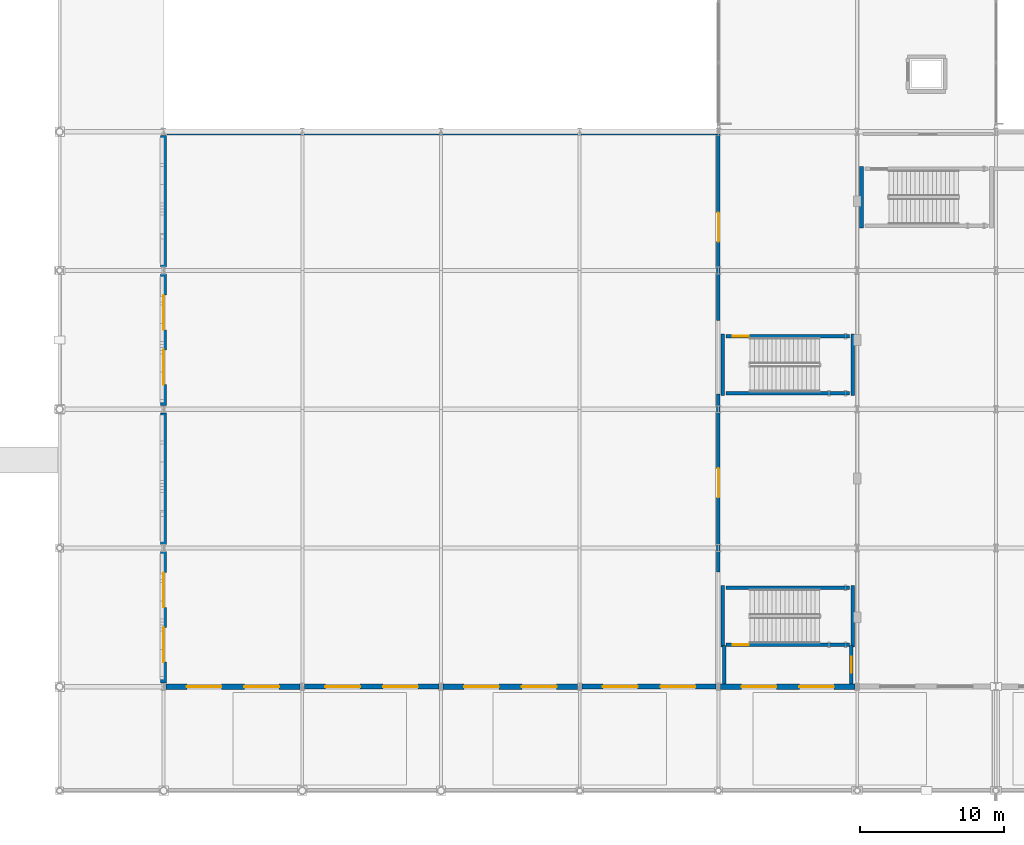
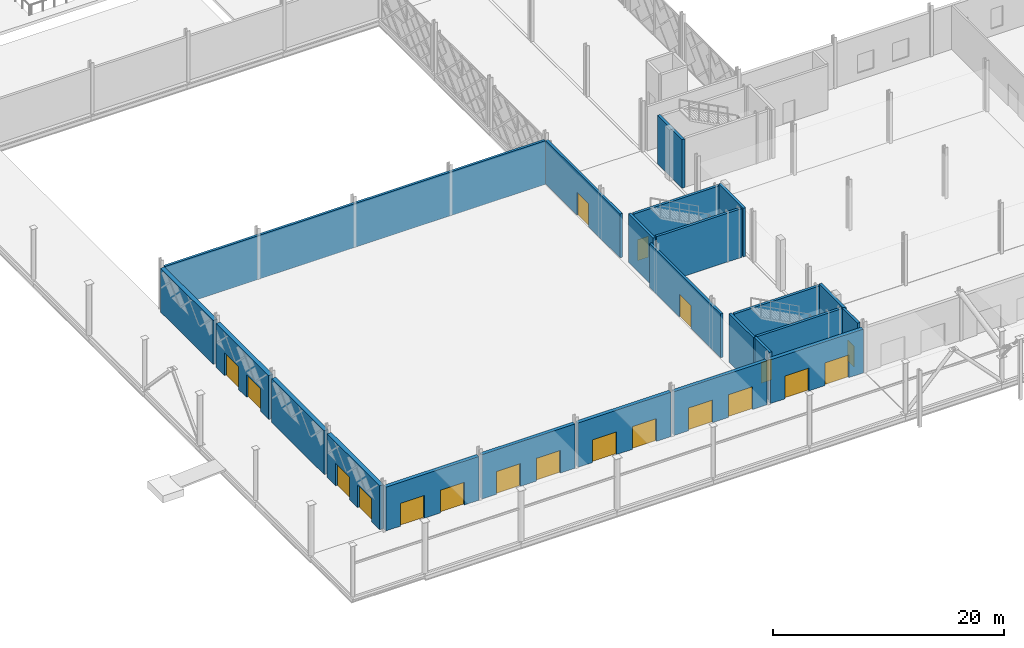
# One storey, part 51 of 84: 23 walls, 19 doors, 19 openings.
"""IFC4 building model written with IfcOpenShell, lengths in metres."""

from ifc_helpers import new_model, si_unit, direction, frame, frame_2d, origin, place, context, subcontext, project, spatial, rectangle, extrude, material, layer, layer_set, type_object, element, fill, save


model = new_model("IFC4")

# Units and contexts
model_context = context("Model", 3, precision=1e-05, world=origin(), true_north=direction((0.0, 1.0)))
body_context = subcontext(model_context, "Body", "Model", "MODEL_VIEW")
ifc_project = project(units=[si_unit("LENGTHUNIT", "METRE"), si_unit("AREAUNIT", "SQUARE_METRE"), si_unit("VOLUMEUNIT", "CUBIC_METRE"), si_unit("PLANEANGLEUNIT", "RADIAN"), si_unit("MASSUNIT", "GRAM", prefix="KILO")], contexts=[model_context])

# Site, building, storey
site_placement = place(None, origin())
site = spatial("IfcSite", under=ifc_project, at=site_placement, CompositionType="ELEMENT")
building_placement = place(site_placement, origin())
building = spatial("IfcBuilding", under=site, at=building_placement, Name="Zevrakil Square Congress Hotel", CompositionType="ELEMENT")
storey_placement = place(building_placement, origin())
storey = spatial("IfcBuildingStorey", under=building, at=storey_placement, Name="L01", CompositionType="ELEMENT", Elevation=0.0)

# Wall, opening, door
ifc_material_1 = material(Name="Concrete C35/45", Category="concrete")
ifc_layer_1 = layer(ifc_material_1, 0.239990234375)
ifc_layer_set_1 = layer_set([ifc_layer_1], Name="Concrete C35/45")
wall_type_1 = type_object("IfcWallType", Name="WAL-COMP-240", PredefinedType="SOLIDWALL", material=ifc_layer_set_1)
wall_1_placement = place(storey_placement, frame((45.60009765625, 15.14990234375, 0.0), z_axis=(0.0, 0.0, 1.0), x_axis=(0.0, 1.0, 0.0)))
wall_1 = element("IfcWall", 1, at=wall_1_placement, inside=storey, type_object=wall_type_1, Name="L01 interior partition PW-L01-0126", PredefinedType="SOLIDWALL", context=body_context, shape_type="SweptSolid", body=[
    extrude(rectangle(XDim=12.300048828125, YDim=0.239990234375, at=frame_2d((6.14990234375, 0.0))), origin(), (0.0, 0.0, 1.0), 4.625),
])
opening_1_placement = place(wall_1_placement, frame((5.14990234375, 0.0, 0.0)))
opening_1 = element("IfcOpeningElement", 2, at=opening_1_placement, cuts=wall_1, Name="Opening ID-05", PredefinedType="OPENING", context=body_context, shape_type="SweptSolid", body=[
    extrude(rectangle(XDim=2.0, YDim=2.39990234375, at=frame_2d((1.0, 1.199951171875))), frame((0.0, 0.1298828125, 0.0), z_axis=(0.0, -1.0, 0.0), x_axis=(1.0, 0.0, 0.0)), (0.0, 0.0, 1.0), 0.260009765625),
])
ifc_material_2 = material(Name="Assembly Hall Double Acoustic Door")
door_type_1 = type_object("IfcDoorType", Name="DOR-HALL-200", OperationType="NOTDEFINED", PredefinedType="DOOR", material=ifc_material_2)
door_1_placement = place(opening_1_placement, origin())
door_1 = element("IfcDoor", 3, at=door_1_placement, inside=storey, type_object=door_type_1, Name="L01 interior door 47", OperationType="DOUBLE_DOOR_SINGLE_SWING", OverallHeight=2.39990234375, OverallWidth=2.0, PredefinedType="DOOR", context=body_context, shape_type="SweptSolid", body=[
    extrude(rectangle(XDim=2.0, YDim=2.39990234375, at=frame_2d((1.0, 1.199951171875))), frame((0.0, 0.02490234375, 0.0), z_axis=(0.0, -1.0, 0.0), x_axis=(1.0, 0.0, 0.0)), (0.0, 0.0, 1.0), 0.050048828125),
])
fill(opening_1, door_1)

wall_2_placement = place(storey_placement, frame((45.60009765625, 32.550048828125, 0.0), z_axis=(0.0, 0.0, 1.0), x_axis=(0.0, 1.0, 0.0)))
wall_2 = element("IfcWall", 4, at=wall_2_placement, inside=storey, type_object=wall_type_1, Name="L01 interior partition PW-L01-0127", PredefinedType="SOLIDWALL", context=body_context, shape_type="SweptSolid", body=[
    extrude(rectangle(XDim=12.89990234375, YDim=0.239990234375, at=frame_2d((6.449951171875, 0.0))), origin(), (0.0, 0.0, 1.0), 4.625),
])
opening_2_placement = place(wall_2_placement, frame((5.449951171875, 0.0, 0.0)))
opening_2 = element("IfcOpeningElement", 5, at=opening_2_placement, cuts=wall_2, Name="Opening ID-05", PredefinedType="OPENING", context=body_context, shape_type="SweptSolid", body=[
    extrude(rectangle(XDim=2.0, YDim=2.39990234375, at=frame_2d((1.0, 1.199951171875))), frame((0.0, 0.1298828125, 0.0), z_axis=(0.0, -1.0, 0.0), x_axis=(1.0, 0.0, 0.0)), (0.0, 0.0, 1.0), 0.260009765625),
])
door_2_placement = place(opening_2_placement, origin())
door_2 = element("IfcDoor", 6, at=door_2_placement, inside=storey, type_object=door_type_1, Name="L01 interior door 48", OperationType="DOUBLE_DOOR_SINGLE_SWING", OverallHeight=2.39990234375, OverallWidth=2.0, PredefinedType="DOOR", context=body_context, shape_type="SweptSolid", body=[
    extrude(rectangle(XDim=2.0, YDim=2.39990234375, at=frame_2d((1.0, 1.199951171875))), frame((0.0, 0.02490234375, 0.0), z_axis=(0.0, -1.0, 0.0), x_axis=(1.0, 0.0, 0.0)), (0.0, 0.0, 1.0), 0.050048828125),
])
fill(opening_2, door_2)

# Walls
wall_3_placement = place(storey_placement, frame((7.449951171875, 45.5, 0.0), z_axis=(0.0, 0.0, 1.0), x_axis=(1.0, 0.0, 0.0)))
element("IfcWall", 7, at=wall_3_placement, inside=storey, type_object=wall_type_1, Name="L01 interior partition PW-L01-0128", PredefinedType="SOLIDWALL", context=body_context, shape_type="SweptSolid", body=[
    extrude(rectangle(XDim=38.0, YDim=0.239990234375, at=frame_2d((19.0, 0.0))), origin(), (0.0, 0.0, 1.0), 4.625),
])
wall_4_placement = place(storey_placement, frame((46.0, 7.39990234375, 0.0), z_axis=(0.0, 0.0, 1.0), x_axis=(0.0, 1.0, 0.0)))
element("IfcWall", 8, at=wall_4_placement, inside=storey, type_object=wall_type_1, Name="L01 interior partition PW-L01-0150", PredefinedType="SOLIDWALL", context=body_context, shape_type="SweptSolid", body=[
    extrude(rectangle(XDim=2.650146484375, YDim=0.239990234375, at=frame_2d((1.3251953125, 0.0))), origin(), (0.0, 0.0, 1.0), 5.139892578125),
])

# Wall, opening, door
wall_5_placement = place(storey_placement, frame((54.800048828125, 7.39990234375, 0.0), z_axis=(0.0, 0.0, 1.0), x_axis=(0.0, 1.0, 0.0)))
wall_5 = element("IfcWall", 9, at=wall_5_placement, inside=storey, type_object=wall_type_1, Name="L01 interior partition PW-L01-0151", PredefinedType="SOLIDWALL", context=body_context, shape_type="SweptSolid", body=[
    extrude(rectangle(XDim=2.650146484375, YDim=0.239990234375, at=frame_2d((1.3251953125, 0.0))), origin(), (0.0, 0.0, 1.0), 5.139892578125),
])
opening_3_placement = place(wall_5_placement, frame((0.77490234375, 0.0, 0.0)))
opening_3 = element("IfcOpeningElement", 10, at=opening_3_placement, cuts=wall_5, Name="Opening FD90-B", PredefinedType="OPENING", context=body_context, shape_type="SweptSolid", body=[
    extrude(rectangle(XDim=1.10009765625, YDim=2.199951171875, at=frame_2d((0.550048828125, 1.10009765625))), frame((0.0, 0.1298828125, 0.0), z_axis=(0.0, -1.0, 0.0), x_axis=(1.0, 0.0, 0.0)), (0.0, 0.0, 1.0), 0.260009765625),
])
ifc_material_3 = material(Name="Steel S355 Fire-Rated Door", Category="steel")
door_type_2 = type_object("IfcDoorType", Name="DOR-STAIR-FD90-110", OperationType="NOTDEFINED", PredefinedType="DOOR", material=ifc_material_3)
door_3_placement = place(opening_3_placement, origin())
door_3 = element("IfcDoor", 11, at=door_3_placement, inside=storey, type_object=door_type_2, Name="L01 interior door 59", OperationType="SINGLE_SWING_LEFT", OverallHeight=2.199951171875, OverallWidth=1.10009765625, PredefinedType="DOOR", context=body_context, shape_type="SweptSolid", body=[
    extrude(rectangle(XDim=1.10009765625, YDim=2.199951171875, at=frame_2d((0.550048828125, 1.10009765625))), frame((0.0, 0.02490234375, 0.0), z_axis=(0.0, -1.0, 0.0), x_axis=(1.0, 0.0, 0.0)), (0.0, 0.0, 1.0), 0.050048828125),
])
fill(opening_3, door_3)

# Wall, openings, doors
ifc_material_4 = material(Name="Precast concrete C40/50", Category="concrete")
ifc_layer_2 = layer(ifc_material_4, 0.340087890625)
ifc_layer_set_2 = layer_set([ifc_layer_2], Name="Precast concrete C40/50")
wall_type_2 = type_object("IfcWallType", Name="WAL-EXT-COL-340", PredefinedType="SOLIDWALL", material=ifc_layer_set_2)
wall_6_placement = place(storey_placement, frame((16.9541015625, 7.199951171875, 0.0), z_axis=(0.0, 0.0, 1.0), x_axis=(1.0, 0.0, 0.0)))
wall_6 = element("IfcWall", 12, at=wall_6_placement, inside=storey, type_object=wall_type_2, Name="L01 exterior GRC wall EW-L01-0002", PredefinedType="SOLIDWALL", context=body_context, shape_type="SweptSolid", body=[
    extrude(rectangle(XDim=9.2919921875, YDim=0.340087890625, at=frame_2d((4.64599609375, 0.0))), origin(), (0.0, 0.0, 1.0), 4.68505859375),
])
opening_4_placement = place(wall_6_placement, frame((1.449951171875, 0.0, 0.0)))
opening_4 = element("IfcOpeningElement", 13, at=opening_4_placement, cuts=wall_6, Name="Opening E03", PredefinedType="OPENING", context=body_context, shape_type="SweptSolid", body=[
    extrude(rectangle(XDim=2.39990234375, YDim=2.39990234375, at=frame_2d((1.199951171875, 1.199951171875))), frame((0.0, 0.18017578125, 0.0), z_axis=(0.0, -1.0, 0.0), x_axis=(1.0, 0.0, 0.0)), (0.0, 0.0, 1.0), 0.360107421875),
])
opening_5_placement = place(wall_6_placement, frame((5.44189453125, 0.0, 0.0)))
opening_5 = element("IfcOpeningElement", 14, at=opening_5_placement, cuts=wall_6, Name="Opening E04", PredefinedType="OPENING", context=body_context, shape_type="SweptSolid", body=[
    extrude(rectangle(XDim=2.39990234375, YDim=2.39990234375, at=frame_2d((1.199951171875, 1.199951171875))), frame((0.0, 0.18017578125, 0.0), z_axis=(0.0, -1.0, 0.0), x_axis=(1.0, 0.0, 0.0)), (0.0, 0.0, 1.0), 0.360107421875),
])
ifc_material_5 = material(Name="Aluminium Thermal-Break Glazed Door", Category="aluminium")
door_type_3 = type_object("IfcDoorType", Name="DOR-EXIT-240", OperationType="NOTDEFINED", PredefinedType="DOOR", material=ifc_material_5)
door_4_placement = place(opening_4_placement, frame((2.39990234375, 0.0, 0.0), z_axis=(0.0, 0.0, 1.0), x_axis=(-1.0, 0.0, 0.0)))
door_4 = element("IfcDoor", 15, at=door_4_placement, inside=storey, type_object=door_type_3, Name="L01 pedestrian final exit door E03", OperationType="DOUBLE_DOOR_SINGLE_SWING", OverallHeight=2.39990234375, OverallWidth=2.39990234375, PredefinedType="DOOR", context=body_context, shape_type="SweptSolid", body=[
    extrude(rectangle(XDim=2.39990234375, YDim=2.39990234375, at=frame_2d((1.199951171875, 1.199951171875))), frame((0.0, 0.02490234375, 0.0), z_axis=(0.0, -1.0, 0.0), x_axis=(1.0, 0.0, 0.0)), (0.0, 0.0, 1.0), 0.050048828125),
])
fill(opening_4, door_4)
door_5_placement = place(opening_5_placement, frame((2.39990234375, 0.0, 0.0), z_axis=(0.0, 0.0, 1.0), x_axis=(-1.0, 0.0, 0.0)))
door_5 = element("IfcDoor", 16, at=door_5_placement, inside=storey, type_object=door_type_3, Name="L01 pedestrian final exit door E04", OperationType="DOUBLE_DOOR_SINGLE_SWING", OverallHeight=2.39990234375, OverallWidth=2.39990234375, PredefinedType="DOOR", context=body_context, shape_type="SweptSolid", body=[
    extrude(rectangle(XDim=2.39990234375, YDim=2.39990234375, at=frame_2d((1.199951171875, 1.199951171875))), frame((0.0, 0.02490234375, 0.0), z_axis=(0.0, -1.0, 0.0), x_axis=(1.0, 0.0, 0.0)), (0.0, 0.0, 1.0), 0.050048828125),
])
fill(opening_5, door_5)

wall_7_placement = place(storey_placement, frame((36.154052734375, 7.199951171875, 0.0), z_axis=(0.0, 0.0, 1.0), x_axis=(1.0, 0.0, 0.0)))
wall_7 = element("IfcWall", 17, at=wall_7_placement, inside=storey, type_object=wall_type_2, Name="L01 exterior GRC wall EW-L01-0005", PredefinedType="SOLIDWALL", context=body_context, shape_type="SweptSolid", body=[
    extrude(rectangle(XDim=9.2919921875, YDim=0.340087890625, at=frame_2d((4.64599609375, 0.0))), origin(), (0.0, 0.0, 1.0), 4.625),
])
opening_6_placement = place(wall_7_placement, frame((1.449951171875, 0.0, 0.0)))
opening_6 = element("IfcOpeningElement", 18, at=opening_6_placement, cuts=wall_7, Name="Opening E07", PredefinedType="OPENING", context=body_context, shape_type="SweptSolid", body=[
    extrude(rectangle(XDim=2.39990234375, YDim=2.39990234375, at=frame_2d((1.199951171875, 1.199951171875))), frame((0.0, 0.18017578125, 0.0), z_axis=(0.0, -1.0, 0.0), x_axis=(1.0, 0.0, 0.0)), (0.0, 0.0, 1.0), 0.360107421875),
])
opening_7_placement = place(wall_7_placement, frame((5.44189453125, 0.0, 0.0)))
opening_7 = element("IfcOpeningElement", 19, at=opening_7_placement, cuts=wall_7, Name="Opening E08", PredefinedType="OPENING", context=body_context, shape_type="SweptSolid", body=[
    extrude(rectangle(XDim=2.39990234375, YDim=2.39990234375, at=frame_2d((1.199951171875, 1.199951171875))), frame((0.0, 0.18017578125, 0.0), z_axis=(0.0, -1.0, 0.0), x_axis=(1.0, 0.0, 0.0)), (0.0, 0.0, 1.0), 0.360107421875),
])
door_6_placement = place(opening_6_placement, frame((2.39990234375, 0.0, 0.0), z_axis=(0.0, 0.0, 1.0), x_axis=(-1.0, 0.0, 0.0)))
door_6 = element("IfcDoor", 20, at=door_6_placement, inside=storey, type_object=door_type_3, Name="L01 pedestrian final exit door E07", OperationType="DOUBLE_DOOR_SINGLE_SWING", OverallHeight=2.39990234375, OverallWidth=2.39990234375, PredefinedType="DOOR", context=body_context, shape_type="SweptSolid", body=[
    extrude(rectangle(XDim=2.39990234375, YDim=2.39990234375, at=frame_2d((1.199951171875, 1.199951171875))), frame((0.0, 0.02490234375, 0.0), z_axis=(0.0, -1.0, 0.0), x_axis=(1.0, 0.0, 0.0)), (0.0, 0.0, 1.0), 0.050048828125),
])
fill(opening_6, door_6)
door_7_placement = place(opening_7_placement, frame((2.39990234375, 0.0, 0.0), z_axis=(0.0, 0.0, 1.0), x_axis=(-1.0, 0.0, 0.0)))
door_7 = element("IfcDoor", 21, at=door_7_placement, inside=storey, type_object=door_type_3, Name="L01 pedestrian final exit door E08", OperationType="DOUBLE_DOOR_SINGLE_SWING", OverallHeight=2.39990234375, OverallWidth=2.39990234375, PredefinedType="DOOR", context=body_context, shape_type="SweptSolid", body=[
    extrude(rectangle(XDim=2.39990234375, YDim=2.39990234375, at=frame_2d((1.199951171875, 1.199951171875))), frame((0.0, 0.02490234375, 0.0), z_axis=(0.0, -1.0, 0.0), x_axis=(1.0, 0.0, 0.0)), (0.0, 0.0, 1.0), 0.050048828125),
])
fill(opening_7, door_7)

ifc_material_6 = material(Name="Precast concrete C40/50", Category="concrete")
ifc_layer_3 = layer(ifc_material_6, 0.360107421875)
ifc_layer_set_3 = layer_set([ifc_layer_3], Name="Precast concrete C40/50")
wall_type_3 = type_object("IfcWallType", Name="WAL-EXT-GRC-360", PredefinedType="SOLIDWALL", material=ifc_layer_set_3)
wall_8_placement = place(storey_placement, frame((7.35400390625, 7.199951171875, 0.0), z_axis=(0.0, 0.0, 1.0), x_axis=(1.0, 0.0, 0.0)))
wall_8 = element("IfcWall", 22, at=wall_8_placement, inside=storey, type_object=wall_type_3, Name="L01 exterior GRC wall EW-L01-0001", PredefinedType="SOLIDWALL", context=body_context, shape_type="SweptSolid", body=[
    extrude(rectangle(XDim=9.2919921875, YDim=0.360107421875, at=frame_2d((4.64599609375, 0.0))), origin(), (0.0, 0.0, 1.0), 4.625),
])
opening_8_placement = place(wall_8_placement, frame((1.449951171875, 0.0, 0.0)))
opening_8 = element("IfcOpeningElement", 23, at=opening_8_placement, cuts=wall_8, Name="Opening E01", PredefinedType="OPENING", context=body_context, shape_type="SweptSolid", body=[
    extrude(rectangle(XDim=2.39990234375, YDim=2.39990234375, at=frame_2d((1.199951171875, 1.199951171875))), frame((0.0, 0.18994140625, 0.0), z_axis=(0.0, -1.0, 0.0), x_axis=(1.0, 0.0, 0.0)), (0.0, 0.0, 1.0), 0.380126953125),
])
opening_9_placement = place(wall_8_placement, frame((5.44189453125, 0.0, 0.0)))
opening_9 = element("IfcOpeningElement", 24, at=opening_9_placement, cuts=wall_8, Name="Opening E02", PredefinedType="OPENING", context=body_context, shape_type="SweptSolid", body=[
    extrude(rectangle(XDim=2.39990234375, YDim=2.39990234375, at=frame_2d((1.199951171875, 1.199951171875))), frame((0.0, 0.18994140625, 0.0), z_axis=(0.0, -1.0, 0.0), x_axis=(1.0, 0.0, 0.0)), (0.0, 0.0, 1.0), 0.380126953125),
])
door_8_placement = place(opening_8_placement, frame((2.39990234375, 0.0, 0.0), z_axis=(0.0, 0.0, 1.0), x_axis=(-1.0, 0.0, 0.0)))
door_8 = element("IfcDoor", 25, at=door_8_placement, inside=storey, type_object=door_type_3, Name="L01 pedestrian final exit door E01", OperationType="DOUBLE_DOOR_SINGLE_SWING", OverallHeight=2.39990234375, OverallWidth=2.39990234375, PredefinedType="DOOR", context=body_context, shape_type="SweptSolid", body=[
    extrude(rectangle(XDim=2.39990234375, YDim=2.39990234375, at=frame_2d((1.199951171875, 1.199951171875))), frame((0.0, 0.02490234375, 0.0), z_axis=(0.0, -1.0, 0.0), x_axis=(1.0, 0.0, 0.0)), (0.0, 0.0, 1.0), 0.050048828125),
])
fill(opening_8, door_8)
door_9_placement = place(opening_9_placement, frame((2.39990234375, 0.0, 0.0), z_axis=(0.0, 0.0, 1.0), x_axis=(-1.0, 0.0, 0.0)))
door_9 = element("IfcDoor", 26, at=door_9_placement, inside=storey, type_object=door_type_3, Name="L01 pedestrian final exit door E02", OperationType="DOUBLE_DOOR_SINGLE_SWING", OverallHeight=2.39990234375, OverallWidth=2.39990234375, PredefinedType="DOOR", context=body_context, shape_type="SweptSolid", body=[
    extrude(rectangle(XDim=2.39990234375, YDim=2.39990234375, at=frame_2d((1.199951171875, 1.199951171875))), frame((0.0, 0.02490234375, 0.0), z_axis=(0.0, -1.0, 0.0), x_axis=(1.0, 0.0, 0.0)), (0.0, 0.0, 1.0), 0.050048828125),
])
fill(opening_9, door_9)

wall_9_placement = place(storey_placement, frame((26.553955078125, 7.199951171875, 0.0), z_axis=(0.0, 0.0, 1.0), x_axis=(1.0, 0.0, 0.0)))
wall_9 = element("IfcWall", 27, at=wall_9_placement, inside=storey, type_object=wall_type_3, Name="L01 exterior GRC wall EW-L01-0004", PredefinedType="SOLIDWALL", context=body_context, shape_type="SweptSolid", body=[
    extrude(rectangle(XDim=9.2919921875, YDim=0.360107421875, at=frame_2d((4.64599609375, 0.0))), origin(), (0.0, 0.0, 1.0), 4.68505859375),
])
opening_10_placement = place(wall_9_placement, frame((1.449951171875, 0.0, 0.0)))
opening_10 = element("IfcOpeningElement", 28, at=opening_10_placement, cuts=wall_9, Name="Opening E05", PredefinedType="OPENING", context=body_context, shape_type="SweptSolid", body=[
    extrude(rectangle(XDim=2.39990234375, YDim=2.39990234375, at=frame_2d((1.199951171875, 1.199951171875))), frame((0.0, 0.18994140625, 0.0), z_axis=(0.0, -1.0, 0.0), x_axis=(1.0, 0.0, 0.0)), (0.0, 0.0, 1.0), 0.380126953125),
])
opening_11_placement = place(wall_9_placement, frame((5.44189453125, 0.0, 0.0)))
opening_11 = element("IfcOpeningElement", 29, at=opening_11_placement, cuts=wall_9, Name="Opening E06", PredefinedType="OPENING", context=body_context, shape_type="SweptSolid", body=[
    extrude(rectangle(XDim=2.39990234375, YDim=2.39990234375, at=frame_2d((1.199951171875, 1.199951171875))), frame((0.0, 0.18994140625, 0.0), z_axis=(0.0, -1.0, 0.0), x_axis=(1.0, 0.0, 0.0)), (0.0, 0.0, 1.0), 0.380126953125),
])
door_10_placement = place(opening_10_placement, frame((2.39990234375, 0.0, 0.0), z_axis=(0.0, 0.0, 1.0), x_axis=(-1.0, 0.0, 0.0)))
door_10 = element("IfcDoor", 30, at=door_10_placement, inside=storey, type_object=door_type_3, Name="L01 pedestrian final exit door E05", OperationType="DOUBLE_DOOR_SINGLE_SWING", OverallHeight=2.39990234375, OverallWidth=2.39990234375, PredefinedType="DOOR", context=body_context, shape_type="SweptSolid", body=[
    extrude(rectangle(XDim=2.39990234375, YDim=2.39990234375, at=frame_2d((1.199951171875, 1.199951171875))), frame((0.0, 0.02490234375, 0.0), z_axis=(0.0, -1.0, 0.0), x_axis=(1.0, 0.0, 0.0)), (0.0, 0.0, 1.0), 0.050048828125),
])
fill(opening_10, door_10)
door_11_placement = place(opening_11_placement, frame((2.39990234375, 0.0, 0.0), z_axis=(0.0, 0.0, 1.0), x_axis=(-1.0, 0.0, 0.0)))
door_11 = element("IfcDoor", 31, at=door_11_placement, inside=storey, type_object=door_type_3, Name="L01 pedestrian final exit door E06", OperationType="DOUBLE_DOOR_SINGLE_SWING", OverallHeight=2.39990234375, OverallWidth=2.39990234375, PredefinedType="DOOR", context=body_context, shape_type="SweptSolid", body=[
    extrude(rectangle(XDim=2.39990234375, YDim=2.39990234375, at=frame_2d((1.199951171875, 1.199951171875))), frame((0.0, 0.02490234375, 0.0), z_axis=(0.0, -1.0, 0.0), x_axis=(1.0, 0.0, 0.0)), (0.0, 0.0, 1.0), 0.050048828125),
])
fill(opening_11, door_11)

wall_10_placement = place(storey_placement, frame((45.75390625, 7.199951171875, 0.0), z_axis=(0.0, 0.0, 1.0), x_axis=(1.0, 0.0, 0.0)))
wall_10 = element("IfcWall", 32, at=wall_10_placement, inside=storey, type_object=wall_type_3, Name="L01 exterior GRC wall EW-L01-0007", PredefinedType="SOLIDWALL", context=body_context, shape_type="SweptSolid", body=[
    extrude(rectangle(XDim=9.2919921875, YDim=0.360107421875, at=frame_2d((4.64599609375, 0.0))), origin(), (0.0, 0.0, 1.0), 4.625),
])
opening_12_placement = place(wall_10_placement, frame((1.449951171875, 0.0, 0.0)))
opening_12 = element("IfcOpeningElement", 33, at=opening_12_placement, cuts=wall_10, Name="Opening E09", PredefinedType="OPENING", context=body_context, shape_type="SweptSolid", body=[
    extrude(rectangle(XDim=2.39990234375, YDim=2.39990234375, at=frame_2d((1.199951171875, 1.199951171875))), frame((0.0, 0.18994140625, 0.0), z_axis=(0.0, -1.0, 0.0), x_axis=(1.0, 0.0, 0.0)), (0.0, 0.0, 1.0), 0.380126953125),
])
opening_13_placement = place(wall_10_placement, frame((5.44189453125, 0.0, 0.0)))
opening_13 = element("IfcOpeningElement", 34, at=opening_13_placement, cuts=wall_10, Name="Opening E10", PredefinedType="OPENING", context=body_context, shape_type="SweptSolid", body=[
    extrude(rectangle(XDim=2.39990234375, YDim=2.39990234375, at=frame_2d((1.199951171875, 1.199951171875))), frame((0.0, 0.18994140625, 0.0), z_axis=(0.0, -1.0, 0.0), x_axis=(1.0, 0.0, 0.0)), (0.0, 0.0, 1.0), 0.380126953125),
])
door_12_placement = place(opening_12_placement, frame((2.39990234375, 0.0, 0.0), z_axis=(0.0, 0.0, 1.0), x_axis=(-1.0, 0.0, 0.0)))
door_12 = element("IfcDoor", 35, at=door_12_placement, inside=storey, type_object=door_type_3, Name="L01 pedestrian final exit door E09", OperationType="DOUBLE_DOOR_SINGLE_SWING", OverallHeight=2.39990234375, OverallWidth=2.39990234375, PredefinedType="DOOR", context=body_context, shape_type="SweptSolid", body=[
    extrude(rectangle(XDim=2.39990234375, YDim=2.39990234375, at=frame_2d((1.199951171875, 1.199951171875))), frame((0.0, 0.02490234375, 0.0), z_axis=(0.0, -1.0, 0.0), x_axis=(1.0, 0.0, 0.0)), (0.0, 0.0, 1.0), 0.050048828125),
])
fill(opening_12, door_12)
door_13_placement = place(opening_13_placement, frame((2.39990234375, 0.0, 0.0), z_axis=(0.0, 0.0, 1.0), x_axis=(-1.0, 0.0, 0.0)))
door_13 = element("IfcDoor", 36, at=door_13_placement, inside=storey, type_object=door_type_3, Name="L01 pedestrian final exit door E10", OperationType="DOUBLE_DOOR_SINGLE_SWING", OverallHeight=2.39990234375, OverallWidth=2.39990234375, PredefinedType="DOOR", context=body_context, shape_type="SweptSolid", body=[
    extrude(rectangle(XDim=2.39990234375, YDim=2.39990234375, at=frame_2d((1.199951171875, 1.199951171875))), frame((0.0, 0.02490234375, 0.0), z_axis=(0.0, -1.0, 0.0), x_axis=(1.0, 0.0, 0.0)), (0.0, 0.0, 1.0), 0.050048828125),
])
fill(opening_13, door_13)

ifc_material_7 = material(Name="Precast concrete C40/50", Category="concrete")
ifc_layer_4 = layer(ifc_material_7, 0.419921875)
ifc_layer_set_4 = layer_set([ifc_layer_4], Name="Precast concrete C40/50")
wall_type_4 = type_object("IfcWallType", Name="WAL-EXT-HALL-420", PredefinedType="SOLIDWALL", material=ifc_layer_set_4)
wall_11_placement = place(storey_placement, frame((7.199951171875, 7.4541015625, 0.0), z_axis=(0.0, 0.0, 1.0), x_axis=(0.0, 1.0, 0.0)))
wall_11 = element("IfcWall", 37, at=wall_11_placement, inside=storey, type_object=wall_type_4, Name="L01 exterior GRC wall EW-L01-0025", PredefinedType="SOLIDWALL", context=body_context, shape_type="SweptSolid", body=[
    extrude(rectangle(XDim=9.091796875, YDim=0.419921875, at=frame_2d((4.5458984375, 0.0))), origin(), (0.0, 0.0, 1.0), 4.625),
])
opening_14_placement = place(wall_11_placement, frame((1.449951171875, 0.0, 0.0)))
opening_14 = element("IfcOpeningElement", 38, at=opening_14_placement, cuts=wall_11, Name="Opening E23", PredefinedType="OPENING", context=body_context, shape_type="SweptSolid", body=[
    extrude(rectangle(XDim=2.39990234375, YDim=2.39990234375, at=frame_2d((1.199951171875, 1.199951171875))), frame((0.0, 0.219970703125, 0.0), z_axis=(0.0, -1.0, 0.0), x_axis=(1.0, 0.0, 0.0)), (0.0, 0.0, 1.0), 0.43994140625),
])
opening_15_placement = place(wall_11_placement, frame((5.241943359375, 0.0, 0.0)))
opening_15 = element("IfcOpeningElement", 39, at=opening_15_placement, cuts=wall_11, Name="Opening E24", PredefinedType="OPENING", context=body_context, shape_type="SweptSolid", body=[
    extrude(rectangle(XDim=2.39990234375, YDim=2.39990234375, at=frame_2d((1.199951171875, 1.199951171875))), frame((0.0, 0.219970703125, 0.0), z_axis=(0.0, -1.0, 0.0), x_axis=(1.0, 0.0, 0.0)), (0.0, 0.0, 1.0), 0.43994140625),
])
door_14_placement = place(opening_14_placement, origin())
door_14 = element("IfcDoor", 40, at=door_14_placement, inside=storey, type_object=door_type_3, Name="L01 pedestrian final exit door E23", OperationType="DOUBLE_DOOR_SINGLE_SWING", OverallHeight=2.39990234375, OverallWidth=2.39990234375, PredefinedType="DOOR", context=body_context, shape_type="SweptSolid", body=[
    extrude(rectangle(XDim=2.39990234375, YDim=2.39990234375, at=frame_2d((1.199951171875, 1.199951171875))), frame((0.0, 0.02490234375, 0.0), z_axis=(0.0, -1.0, 0.0), x_axis=(1.0, 0.0, 0.0)), (0.0, 0.0, 1.0), 0.050048828125),
])
fill(opening_14, door_14)
door_15_placement = place(opening_15_placement, origin())
door_15 = element("IfcDoor", 41, at=door_15_placement, inside=storey, type_object=door_type_3, Name="L01 pedestrian final exit door E24", OperationType="DOUBLE_DOOR_SINGLE_SWING", OverallHeight=2.39990234375, OverallWidth=2.39990234375, PredefinedType="DOOR", context=body_context, shape_type="SweptSolid", body=[
    extrude(rectangle(XDim=2.39990234375, YDim=2.39990234375, at=frame_2d((1.199951171875, 1.199951171875))), frame((0.0, 0.02490234375, 0.0), z_axis=(0.0, -1.0, 0.0), x_axis=(1.0, 0.0, 0.0)), (0.0, 0.0, 1.0), 0.050048828125),
])
fill(opening_15, door_15)

# Wall
wall_12_placement = place(storey_placement, frame((7.199951171875, 17.053955078125, 0.0), z_axis=(0.0, 0.0, 1.0), x_axis=(0.0, 1.0, 0.0)))
element("IfcWall", 42, at=wall_12_placement, inside=storey, type_object=wall_type_4, Name="L01 exterior GRC wall EW-L01-0026", PredefinedType="SOLIDWALL", context=body_context, shape_type="SweptSolid", body=[
    extrude(rectangle(XDim=9.092041015625, YDim=0.419921875, at=frame_2d((4.5458984375, 0.0))), origin(), (0.0, 0.0, 1.0), 4.625),
])

# Wall, openings, doors
wall_13_placement = place(storey_placement, frame((7.199951171875, 26.654052734375, 0.0), z_axis=(0.0, 0.0, 1.0), x_axis=(0.0, 1.0, 0.0)))
wall_13 = element("IfcWall", 43, at=wall_13_placement, inside=storey, type_object=wall_type_4, Name="L01 exterior GRC wall EW-L01-0028", PredefinedType="SOLIDWALL", context=body_context, shape_type="SweptSolid", body=[
    extrude(rectangle(XDim=9.092041015625, YDim=0.419921875, at=frame_2d((4.5458984375, 0.0))), origin(), (0.0, 0.0, 1.0), 4.625),
])
opening_16_placement = place(wall_13_placement, frame((1.449951171875, 0.0, 0.0)))
opening_16 = element("IfcOpeningElement", 44, at=opening_16_placement, cuts=wall_13, Name="Opening E25", PredefinedType="OPENING", context=body_context, shape_type="SweptSolid", body=[
    extrude(rectangle(XDim=2.39990234375, YDim=2.39990234375, at=frame_2d((1.199951171875, 1.199951171875))), frame((0.0, 0.219970703125, 0.0), z_axis=(0.0, -1.0, 0.0), x_axis=(1.0, 0.0, 0.0)), (0.0, 0.0, 1.0), 0.43994140625),
])
opening_17_placement = place(wall_13_placement, frame((5.241943359375, 0.0, 0.0)))
opening_17 = element("IfcOpeningElement", 45, at=opening_17_placement, cuts=wall_13, Name="Opening E26", PredefinedType="OPENING", context=body_context, shape_type="SweptSolid", body=[
    extrude(rectangle(XDim=2.39990234375, YDim=2.39990234375, at=frame_2d((1.199951171875, 1.199951171875))), frame((0.0, 0.219970703125, 0.0), z_axis=(0.0, -1.0, 0.0), x_axis=(1.0, 0.0, 0.0)), (0.0, 0.0, 1.0), 0.43994140625),
])
door_16_placement = place(opening_16_placement, origin())
door_16 = element("IfcDoor", 46, at=door_16_placement, inside=storey, type_object=door_type_3, Name="L01 pedestrian final exit door E25", OperationType="DOUBLE_DOOR_SINGLE_SWING", OverallHeight=2.39990234375, OverallWidth=2.39990234375, PredefinedType="DOOR", context=body_context, shape_type="SweptSolid", body=[
    extrude(rectangle(XDim=2.39990234375, YDim=2.39990234375, at=frame_2d((1.199951171875, 1.199951171875))), frame((0.0, 0.02490234375, 0.0), z_axis=(0.0, -1.0, 0.0), x_axis=(1.0, 0.0, 0.0)), (0.0, 0.0, 1.0), 0.050048828125),
])
fill(opening_16, door_16)
door_17_placement = place(opening_17_placement, origin())
door_17 = element("IfcDoor", 47, at=door_17_placement, inside=storey, type_object=door_type_3, Name="L01 pedestrian final exit door E26", OperationType="DOUBLE_DOOR_SINGLE_SWING", OverallHeight=2.39990234375, OverallWidth=2.39990234375, PredefinedType="DOOR", context=body_context, shape_type="SweptSolid", body=[
    extrude(rectangle(XDim=2.39990234375, YDim=2.39990234375, at=frame_2d((1.199951171875, 1.199951171875))), frame((0.0, 0.02490234375, 0.0), z_axis=(0.0, -1.0, 0.0), x_axis=(1.0, 0.0, 0.0)), (0.0, 0.0, 1.0), 0.050048828125),
])
fill(opening_17, door_17)

# Walls
wall_14_placement = place(storey_placement, frame((7.199951171875, 36.25390625, 0.0), z_axis=(0.0, 0.0, 1.0), x_axis=(0.0, 1.0, 0.0)))
element("IfcWall", 48, at=wall_14_placement, inside=storey, type_object=wall_type_4, Name="L01 exterior GRC wall EW-L01-0029", PredefinedType="SOLIDWALL", context=body_context, shape_type="SweptSolid", body=[
    extrude(rectangle(XDim=9.092041015625, YDim=0.419921875, at=frame_2d((4.5458984375, 0.0))), origin(), (0.0, 0.0, 1.0), 4.625),
])
ifc_material_8 = material(Name="Concrete C40/50", Category="concrete")
ifc_layer_5 = layer(ifc_material_8, 0.260009765625)
ifc_layer_set_5 = layer_set([ifc_layer_5], Name="Concrete C40/50")
wall_type_5 = type_object("IfcWallType", Name="WAL-SHAFT-260", PredefinedType="SHEAR", material=ifc_layer_set_5)
for number, where, z_axis, x_axis, name in (
    (49, (55.5048828125, 38.93994140625, 0.0), (0.0, 0.0, 1.0), (0.0, 1.0, 0.0), "L01 ST04 stair shaft W wall"),
    (50, (45.905029296875, 9.93994140625, 0.0), (0.0, 0.0, 1.0), (0.0, 1.0, 0.0), "L01 ST12 stair shaft W wall"),
    (51, (54.89501953125, 9.93994140625, 0.0), (0.0, 0.0, 1.0), (0.0, 1.0, 0.0), "L01 ST12 stair shaft E wall"),
):
    element("IfcWall", number, at=place(storey_placement, frame(where, z_axis=z_axis, x_axis=x_axis)), inside=storey, type_object=wall_type_5, Name=name, PredefinedType="SHEAR", context=body_context, shape_type="SweptSolid", body=[
        extrude(rectangle(XDim=4.27001953125, YDim=0.260009765625, at=frame_2d((2.135009765625, 0.0))), origin(), (0.0, 0.0, 1.0), 5.139892578125),
    ])

# Wall, opening, door
wall_15_placement = place(storey_placement, frame((46.139892578125, 10.10498046875, 0.0), z_axis=(0.0, 0.0, 1.0), x_axis=(1.0, 0.0, 0.0)))
wall_15 = element("IfcWall", 52, at=wall_15_placement, inside=storey, type_object=wall_type_5, Name="L01 ST12 stair shaft S wall", PredefinedType="SHEAR", context=body_context, shape_type="SweptSolid", body=[
    extrude(rectangle(XDim=8.52001953125, YDim=0.260009765625, at=frame_2d((4.260009765625, 0.0))), origin(), (0.0, 0.0, 1.0), 5.139892578125),
])
opening_18_placement = place(wall_15_placement, frame((0.449951171875, 0.0, 0.0)))
opening_18 = element("IfcOpeningElement", 53, at=opening_18_placement, cuts=wall_15, Name="Opening SD-ST12", PredefinedType="OPENING", context=body_context, shape_type="SweptSolid", body=[
    extrude(rectangle(XDim=1.10009765625, YDim=2.199951171875, at=frame_2d((0.550048828125, 1.10009765625))), frame((0.0, 0.14013671875, 0.0), z_axis=(0.0, -1.0, 0.0), x_axis=(1.0, 0.0, 0.0)), (0.0, 0.0, 1.0), 0.280029296875),
])
door_18_placement = place(opening_18_placement, origin())
door_18 = element("IfcDoor", 54, at=door_18_placement, inside=storey, type_object=door_type_2, Name="L01 ST12 protected stair fire door", OperationType="SINGLE_SWING_RIGHT", OverallHeight=2.199951171875, OverallWidth=1.10009765625, PredefinedType="DOOR", context=body_context, shape_type="SweptSolid", body=[
    extrude(rectangle(XDim=1.10009765625, YDim=2.199951171875, at=frame_2d((0.550048828125, 1.10009765625))), frame((0.0, 0.02490234375, 0.0), z_axis=(0.0, -1.0, 0.0), x_axis=(1.0, 0.0, 0.0)), (0.0, 0.0, 1.0), 0.050048828125),
])
fill(opening_18, door_18)

# Walls
wall_16_placement = place(storey_placement, frame((46.139892578125, 14.044921875, 0.0), z_axis=(0.0, 0.0, 1.0), x_axis=(1.0, 0.0, 0.0)))
element("IfcWall", 55, at=wall_16_placement, inside=storey, type_object=wall_type_5, Name="L01 ST12 stair shaft N wall", PredefinedType="SHEAR", context=body_context, shape_type="SweptSolid", body=[
    extrude(rectangle(XDim=8.52001953125, YDim=0.260009765625, at=frame_2d((4.260009765625, 0.0))), origin(), (0.0, 0.0, 1.0), 5.139892578125),
])
for number, where, z_axis, x_axis, name in (
    (56, (45.905029296875, 27.340087890625, 0.0), (0.0, 0.0, 1.0), (0.0, 1.0, 0.0), "L01 ST13 stair shaft W wall"),
    (57, (54.89501953125, 27.340087890625, 0.0), (0.0, 0.0, 1.0), (0.0, 1.0, 0.0), "L01 ST13 stair shaft E wall"),
):
    element("IfcWall", number, at=place(storey_placement, frame(where, z_axis=z_axis, x_axis=x_axis)), inside=storey, type_object=wall_type_5, Name=name, PredefinedType="SHEAR", context=body_context, shape_type="SweptSolid", body=[
        extrude(rectangle(XDim=4.27001953125, YDim=0.260009765625, at=frame_2d((2.135009765625, 0.0))), origin(), (0.0, 0.0, 1.0), 5.139892578125),
    ])
wall_17_placement = place(storey_placement, frame((46.139892578125, 27.5048828125, 0.0), z_axis=(0.0, 0.0, 1.0), x_axis=(1.0, 0.0, 0.0)))
element("IfcWall", 58, at=wall_17_placement, inside=storey, type_object=wall_type_5, Name="L01 ST13 stair shaft S wall", PredefinedType="SHEAR", context=body_context, shape_type="SweptSolid", body=[
    extrude(rectangle(XDim=8.52001953125, YDim=0.260009765625, at=frame_2d((4.260009765625, 0.0))), origin(), (0.0, 0.0, 1.0), 5.139892578125),
])

# Wall, opening, door
wall_18_placement = place(storey_placement, frame((46.139892578125, 31.445068359375, 0.0), z_axis=(0.0, 0.0, 1.0), x_axis=(1.0, 0.0, 0.0)))
wall_18 = element("IfcWall", 59, at=wall_18_placement, inside=storey, type_object=wall_type_5, Name="L01 ST13 stair shaft N wall", PredefinedType="SHEAR", context=body_context, shape_type="SweptSolid", body=[
    extrude(rectangle(XDim=8.52001953125, YDim=0.260009765625, at=frame_2d((4.260009765625, 0.0))), origin(), (0.0, 0.0, 1.0), 5.139892578125),
])
opening_19_placement = place(wall_18_placement, frame((0.449951171875, 0.0, 0.0)))
opening_19 = element("IfcOpeningElement", 60, at=opening_19_placement, cuts=wall_18, Name="Opening SD-ST13", PredefinedType="OPENING", context=body_context, shape_type="SweptSolid", body=[
    extrude(rectangle(XDim=1.10009765625, YDim=2.199951171875, at=frame_2d((0.550048828125, 1.10009765625))), frame((0.0, 0.14013671875, 0.0), z_axis=(0.0, -1.0, 0.0), x_axis=(1.0, 0.0, 0.0)), (0.0, 0.0, 1.0), 0.280029296875),
])
door_19_placement = place(opening_19_placement, origin())
door_19 = element("IfcDoor", 61, at=door_19_placement, inside=storey, type_object=door_type_2, Name="L01 ST13 protected stair fire door", OperationType="SINGLE_SWING_LEFT", OverallHeight=2.199951171875, OverallWidth=1.10009765625, PredefinedType="DOOR", context=body_context, shape_type="SweptSolid", body=[
    extrude(rectangle(XDim=1.10009765625, YDim=2.199951171875, at=frame_2d((0.550048828125, 1.10009765625))), frame((0.0, 0.02490234375, 0.0), z_axis=(0.0, -1.0, 0.0), x_axis=(1.0, 0.0, 0.0)), (0.0, 0.0, 1.0), 0.050048828125),
])
fill(opening_19, door_19)

save(model, "model.ifc")
